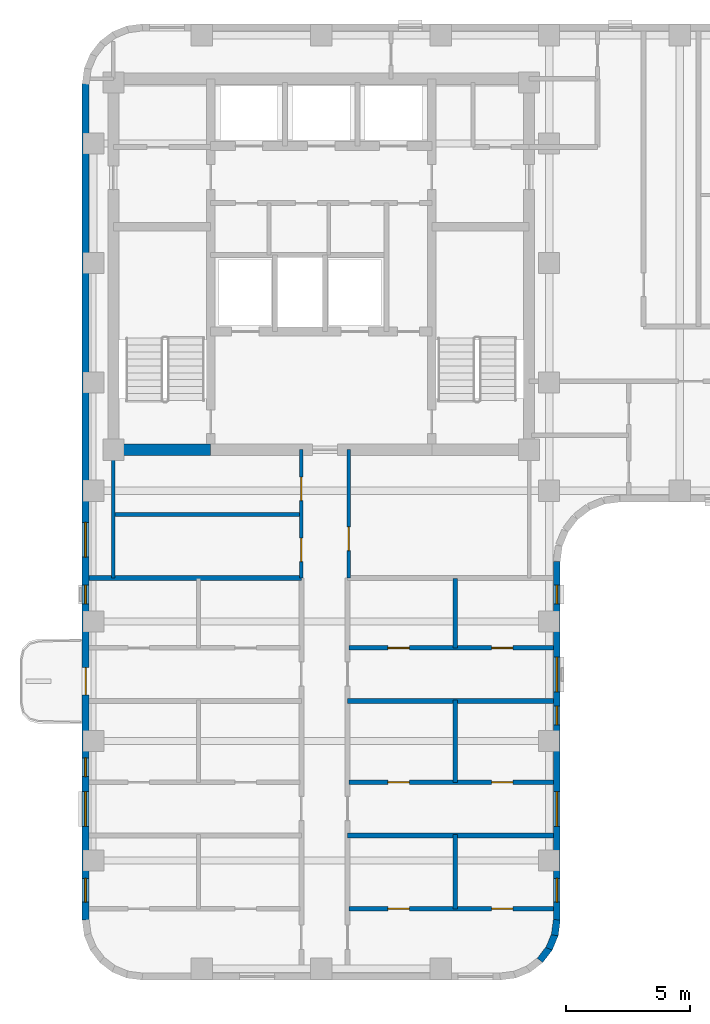
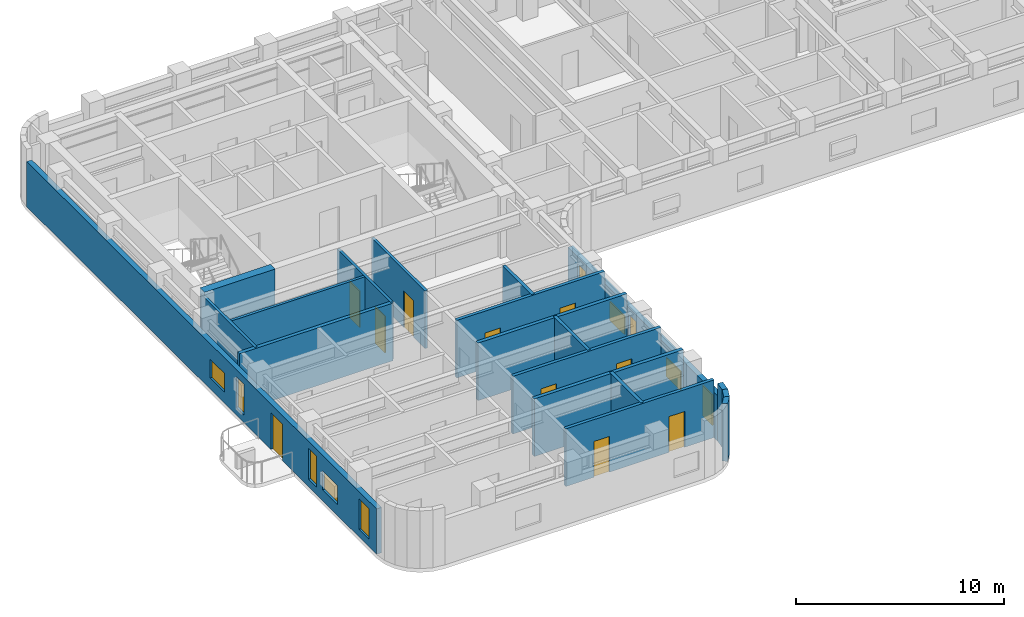
# One storey, part 3 of 10: 19 walls, 10 doors, 10 windows, 20 openings.
"""IFC4 building model written with IfcOpenShell, lengths in metres."""

from ifc_helpers import new_model, si_unit, direction, frame, frame_2d, origin, place, context, subcontext, project, spatial, rectangle, extrude, material, layer, layer_set, type_object, element, fill, save


model = new_model("IFC4")

# Units and contexts
model_context = context("Model", 3, precision=1e-05, world=origin(), true_north=direction((0.0, 1.0)))
body_context = subcontext(model_context, "Body", "Model", "MODEL_VIEW")
ifc_project = project(units=[si_unit("LENGTHUNIT", "METRE"), si_unit("AREAUNIT", "SQUARE_METRE"), si_unit("VOLUMEUNIT", "CUBIC_METRE"), si_unit("PLANEANGLEUNIT", "RADIAN"), si_unit("MASSUNIT", "GRAM", prefix="KILO")], contexts=[model_context])

# Site, building, storey
site_placement = place(None, origin())
site = spatial("IfcSite", under=ifc_project, at=site_placement, CompositionType="ELEMENT")
building_placement = place(site_placement, origin())
building = spatial("IfcBuilding", under=site, at=building_placement, Name="Orvandelia Arch Residences", CompositionType="ELEMENT")
storey_placement = place(building_placement, frame((0.0, 0.0, 211.0)))
storey = spatial("IfcBuildingStorey", under=building, at=storey_placement, Name="L55", CompositionType="ELEMENT", Elevation=211.0)

# Walls
ifc_material_1 = material(Name="Concrete C50/60", Category="concrete")
ifc_layer_1 = layer(ifc_material_1, 0.449951171875, Name="Concrete C50/60", Category="concrete")
ifc_layer_set_1 = layer_set([ifc_layer_1], Name="Concrete C50/60")
wall_type_1 = type_object("IfcWallType", Name="WL-CORE-450", PredefinedType="SHEAR", material=ifc_layer_set_1)
wall_1_placement = place(storey_placement, frame((6.050048828125, 30.89990234375, 0.0), z_axis=(0.0, 0.0, 1.0), x_axis=(1.0, 0.0, 0.0)))
element("IfcWall", 1, at=wall_1_placement, inside=storey, type_object=wall_type_1, Name="Core Shear Wall L55-SW", PredefinedType="SHEAR", context=body_context, shape_type="SweptSolid", body=[
    extrude(rectangle(XDim=3.909912109375, YDim=0.449951171875, at=frame_2d((1.955078125, 0.0))), origin(), (0.0, 0.0, 1.0), 3.60009765625),
])
ifc_material_2 = material(Name="Fire-Rated Corridor Partition")
ifc_layer_2 = layer(ifc_material_2, 0.199951171875, Name="Fire-Rated Corridor Partition")
ifc_layer_set_2 = layer_set([ifc_layer_2], Name="Fire-Rated Corridor Partition")
wall_type_2 = type_object("IfcWallType", Name="WL-CORR-200", PredefinedType="PARTITIONING", material=ifc_layer_set_2)
wall_2_placement = place(storey_placement, frame((5.080078125, 25.75, 0.0), z_axis=(0.0, 0.0, 1.0), x_axis=(1.0, 0.0, 0.0)))
element("IfcWall", 2, at=wall_2_placement, inside=storey, type_object=wall_type_2, Name="Interior Partition Wall WL-L55-WCLS-W", PredefinedType="PARTITIONING", context=body_context, shape_type="SweptSolid", body=[
    extrude(rectangle(XDim=8.52001953125, YDim=0.199951171875, at=frame_2d((4.260009765625, 0.0))), origin(), (0.0, 0.0, 1.0), 3.3798828125),
])
ifc_material_3 = material(Name="Concrete C40/50", Category="concrete")
ifc_layer_3 = layer(ifc_material_3, 0.199951171875, Name="Concrete C40/50", Category="concrete")
ifc_layer_set_3 = layer_set([ifc_layer_3], Name="Concrete C40/50")
wall_type_3 = type_object("IfcWallType", Name="WL-DEM-200", PredefinedType="SOLIDWALL", material=ifc_layer_set_3)
for number, where, z_axis, x_axis, name in (
    (3, (15.449951171875, 15.39990234375, 0.0), (0.0, 0.0, 1.0), (1.0, 0.0, 0.0), "Interior Partition Wall WL-L55-DEM-WR-154"),
    (4, (15.449951171875, 20.800048828125, 0.0), (0.0, 0.0, 1.0), (1.0, 0.0, 0.0), "Interior Partition Wall WL-L55-DEM-WR-208"),
):
    element("IfcWall", number, at=place(storey_placement, frame(where, z_axis=z_axis, x_axis=x_axis)), inside=storey, type_object=wall_type_3, Name=name, PredefinedType="SOLIDWALL", context=body_context, shape_type="SweptSolid", body=[
        extrude(rectangle(XDim=8.27001953125, YDim=0.199951171875, at=frame_2d((4.135009765625, 0.0))), origin(), (0.0, 0.0, 1.0), 3.3798828125),
    ])

# Wall, openings, windows
ifc_material_4 = material(Name="Precast concrete C40/50", Category="concrete")
ifc_layer_4 = layer(ifc_material_4, 0.280029296875, Name="Precast concrete C40/50", Category="concrete")
ifc_layer_set_4 = layer_set([ifc_layer_4], Name="Precast concrete C40/50")
wall_type_4 = type_object("IfcWallType", Name="WL-EXT-STONE-280", PredefinedType="STANDARD", material=ifc_layer_set_4)
wall_3_placement = place(storey_placement, frame((23.860107421875, 26.39990234375, 0.0), z_axis=(0.0, 0.0, 1.0), x_axis=(0.0, -1.0, 0.0)))
wall_3 = element("IfcWall", 5, at=wall_3_placement, inside=storey, type_object=wall_type_4, Name="Coral-Limestone Precast Facade Wall L55-028", PredefinedType="STANDARD", context=body_context, shape_type="SweptSolid", body=[
    extrude(rectangle(XDim=14.39990234375, YDim=0.280029296875, at=frame_2d((7.199951171875, 0.0))), origin(), (0.0, 0.0, 1.0), 2.659912109375),
])
opening_1_placement = place(wall_3_placement, frame((9.22998046875, 0.0, 0.64990234375)))
opening_1 = element("IfcOpeningElement", 6, at=opening_1_placement, cuts=wall_3, Name="Opening W10", PredefinedType="OPENING", context=body_context, shape_type="SweptSolid", body=[
    extrude(rectangle(XDim=1.39990234375, YDim=1.10009765625, at=frame_2d((0.699951171875, 0.550048828125))), frame((0.0, 0.14990234375, 0.0), z_axis=(0.0, -1.0, 0.0), x_axis=(1.0, 0.0, 0.0)), (0.0, 0.0, 1.0), 0.300048828125),
])
opening_2_placement = place(wall_3_placement, frame((3.830078125, 0.0, 0.64990234375)))
opening_2 = element("IfcOpeningElement", 7, at=opening_2_placement, cuts=wall_3, Name="Opening W10", PredefinedType="OPENING", context=body_context, shape_type="SweptSolid", body=[
    extrude(rectangle(XDim=1.39990234375, YDim=1.10009765625, at=frame_2d((0.699951171875, 0.550048828125))), frame((0.0, 0.14990234375, 0.0), z_axis=(0.0, -1.0, 0.0), x_axis=(1.0, 0.0, 0.0)), (0.0, 0.0, 1.0), 0.300048828125),
])
opening_3_placement = place(wall_3_placement, frame((12.718505859375, 0.0, 0.449951171875)))
opening_3 = element("IfcOpeningElement", 8, at=opening_3_placement, cuts=wall_3, Name="Opening W4", PredefinedType="OPENING", context=body_context, shape_type="SweptSolid", body=[
    extrude(rectangle(XDim=0.949951171875, YDim=1.800048828125, at=frame_2d((0.47509765625, 0.89990234375))), frame((0.0, 0.14990234375, 0.0), z_axis=(0.0, -1.0, 0.0), x_axis=(1.0, 0.0, 0.0)), (0.0, 0.0, 1.0), 0.300048828125),
])
opening_4_placement = place(wall_3_placement, frame((5.802490234375, 0.0, 0.449951171875)))
opening_4 = element("IfcOpeningElement", 9, at=opening_4_placement, cuts=wall_3, Name="Opening W11", PredefinedType="OPENING", context=body_context, shape_type="SweptSolid", body=[
    extrude(rectangle(XDim=0.75, YDim=1.800048828125, at=frame_2d((0.375, 0.89990234375))), frame((0.0, 0.14990234375, 0.0), z_axis=(0.0, -1.0, 0.0), x_axis=(1.0, 0.0, 0.0)), (0.0, 0.0, 1.0), 0.300048828125),
])
opening_5_placement = place(wall_3_placement, frame((0.9423828125, 0.0, 0.449951171875)))
opening_5 = element("IfcOpeningElement", 10, at=opening_5_placement, cuts=wall_3, Name="Opening W11", PredefinedType="OPENING", context=body_context, shape_type="SweptSolid", body=[
    extrude(rectangle(XDim=0.75, YDim=1.800048828125, at=frame_2d((0.375, 0.89990234375))), frame((0.0, 0.14990234375, 0.0), z_axis=(0.0, -1.0, 0.0), x_axis=(1.0, 0.0, 0.0)), (0.0, 0.0, 1.0), 0.300048828125),
])
ifc_material_5 = material(Name="Tempered Low-E Insulated Glazing", Category="glass")
window_type_1 = type_object("IfcWindowType", Name="WIN-BED-0750x1800", PartitioningType="SINGLE_PANEL", PredefinedType="WINDOW", material=ifc_material_5)
window_1_placement = place(opening_4_placement, origin())
window_1 = element("IfcWindow", 11, at=window_1_placement, inside=storey, type_object=window_type_1, Name="Recessed Punched Window L55-020", OverallHeight=1.800048828125, OverallWidth=0.75, PartitioningType="SINGLE_PANEL", PredefinedType="WINDOW", context=body_context, shape_type="SweptSolid", body=[
    extrude(rectangle(XDim=0.75, YDim=1.800048828125, at=frame_2d((0.375, 0.89990234375))), frame((0.0, 0.030029296875, 0.0), z_axis=(0.0, -1.0, 0.0), x_axis=(1.0, 0.0, 0.0)), (0.0, 0.0, 1.0), 0.06005859375),
])
fill(opening_4, window_1)
window_2_placement = place(opening_5_placement, origin())
window_2 = element("IfcWindow", 12, at=window_2_placement, inside=storey, type_object=window_type_1, Name="Recessed Punched Window L55-021", OverallHeight=1.800048828125, OverallWidth=0.75, PartitioningType="SINGLE_PANEL", PredefinedType="WINDOW", context=body_context, shape_type="SweptSolid", body=[
    extrude(rectangle(XDim=0.75, YDim=1.800048828125, at=frame_2d((0.375, 0.89990234375))), frame((0.0, 0.030029296875, 0.0), z_axis=(0.0, -1.0, 0.0), x_axis=(1.0, 0.0, 0.0)), (0.0, 0.0, 1.0), 0.06005859375),
])
fill(opening_5, window_2)
window_type_2 = type_object("IfcWindowType", Name="WIN-CLR-1400x1100", PartitioningType="SINGLE_PANEL", PredefinedType="WINDOW", material=ifc_material_5)
window_3_placement = place(opening_1_placement, origin())
window_3 = element("IfcWindow", 13, at=window_3_placement, inside=storey, type_object=window_type_2, Name="Recessed Punched Window L55-017", OverallHeight=1.10009765625, OverallWidth=1.39990234375, PartitioningType="SINGLE_PANEL", PredefinedType="WINDOW", context=body_context, shape_type="SweptSolid", body=[
    extrude(rectangle(XDim=1.39990234375, YDim=1.10009765625, at=frame_2d((0.699951171875, 0.550048828125))), frame((0.0, 0.030029296875, 0.0), z_axis=(0.0, -1.0, 0.0), x_axis=(1.0, 0.0, 0.0)), (0.0, 0.0, 1.0), 0.06005859375),
])
fill(opening_1, window_3)
window_4_placement = place(opening_2_placement, origin())
window_4 = element("IfcWindow", 14, at=window_4_placement, inside=storey, type_object=window_type_2, Name="Recessed Punched Window L55-018", OverallHeight=1.10009765625, OverallWidth=1.39990234375, PartitioningType="SINGLE_PANEL", PredefinedType="WINDOW", context=body_context, shape_type="SweptSolid", body=[
    extrude(rectangle(XDim=1.39990234375, YDim=1.10009765625, at=frame_2d((0.699951171875, 0.550048828125))), frame((0.0, 0.030029296875, 0.0), z_axis=(0.0, -1.0, 0.0), x_axis=(1.0, 0.0, 0.0)), (0.0, 0.0, 1.0), 0.06005859375),
])
fill(opening_2, window_4)
window_type_3 = type_object("IfcWindowType", Name="WIN-RES-0950x1800", PartitioningType="SINGLE_PANEL", PredefinedType="WINDOW", material=ifc_material_5)
window_5_placement = place(opening_3_placement, origin())
window_5 = element("IfcWindow", 15, at=window_5_placement, inside=storey, type_object=window_type_3, Name="Recessed Punched Window L55-019", OverallHeight=1.800048828125, OverallWidth=0.949951171875, PartitioningType="SINGLE_PANEL", PredefinedType="WINDOW", context=body_context, shape_type="SweptSolid", body=[
    extrude(rectangle(XDim=0.949951171875, YDim=1.800048828125, at=frame_2d((0.47509765625, 0.89990234375))), frame((0.0, 0.030029296875, 0.0), z_axis=(0.0, -1.0, 0.0), x_axis=(1.0, 0.0, 0.0)), (0.0, 0.0, 1.0), 0.06005859375),
])
fill(opening_3, window_5)

# Walls
for number, where, z_axis, x_axis, name in (
    (16, (23.861083984375, 12.018310546875, 0.0), (0.0, 0.0, 1.0), (-0.130555323746, -0.9914410257, 0.0), "Coral-Limestone Precast Facade Wall L55-029"),
    (17, (23.788818359375, 11.432373046875, 0.0), (0.0, 0.0, 1.0), (-0.382317370307, -0.924031075431, 0.0), "Coral-Limestone Precast Facade Wall L55-030"),
    (18, (23.5673828125, 10.88525390625, 0.0), (0.0, 0.0, 1.0), (-0.608693302629, -0.793405610854, 0.0), "Coral-Limestone Precast Facade Wall L55-031"),
):
    element("IfcWall", number, at=place(storey_placement, frame(where, z_axis=z_axis, x_axis=x_axis)), inside=storey, type_object=wall_type_4, Name=name, PredefinedType="STANDARD", context=body_context, shape_type="SweptSolid", body=[
        extrude(rectangle(XDim=0.62646484375, YDim=0.280029296875, at=frame_2d((0.313232421875, 0.0))), origin(), (0.0, 0.0, 1.0), 3.3798828125),
    ])

# Wall, openings, door, windows
wall_4_placement = place(storey_placement, frame((4.93994140625, 12.0, 0.0), z_axis=(0.0, 0.0, 1.0), x_axis=(0.0, 1.0, 0.0)))
wall_4 = element("IfcWall", 19, at=wall_4_placement, inside=storey, type_object=wall_type_4, Name="Coral-Limestone Precast Facade Wall L55-042", PredefinedType="STANDARD", context=body_context, shape_type="SweptSolid", body=[
    extrude(rectangle(XDim=33.60009765625, YDim=0.280029296875, at=frame_2d((16.800048828125, 0.0))), origin(), (0.0, 0.0, 1.0), 2.659912109375),
])
opening_6_placement = place(wall_4_placement, frame((9.050048828125, 0.0, 0.0)))
opening_6 = element("IfcOpeningElement", 20, at=opening_6_placement, cuts=wall_4, Name="Opening BD1", PredefinedType="OPENING", context=body_context, shape_type="SweptSolid", body=[
    extrude(rectangle(XDim=1.10009765625, YDim=2.14990234375, at=frame_2d((0.550048828125, 1.074951171875))), frame((0.0, 0.14990234375, 0.0), z_axis=(0.0, -1.0, 0.0), x_axis=(1.0, 0.0, 0.0)), (0.0, 0.0, 1.0), 0.300048828125),
])
opening_7_placement = place(wall_4_placement, frame((3.77001953125, 0.0, 0.64990234375)))
opening_7 = element("IfcOpeningElement", 21, at=opening_7_placement, cuts=wall_4, Name="Opening W10", PredefinedType="OPENING", context=body_context, shape_type="SweptSolid", body=[
    extrude(rectangle(XDim=1.39990234375, YDim=1.10009765625, at=frame_2d((0.699951171875, 0.550048828125))), frame((0.0, 0.14990234375, 0.0), z_axis=(0.0, -1.0, 0.0), x_axis=(1.0, 0.0, 0.0)), (0.0, 0.0, 1.0), 0.300048828125),
])
opening_8_placement = place(wall_4_placement, frame((0.7314453125, 0.0, 0.449951171875)))
opening_8 = element("IfcOpeningElement", 22, at=opening_8_placement, cuts=wall_4, Name="Opening W4", PredefinedType="OPENING", context=body_context, shape_type="SweptSolid", body=[
    extrude(rectangle(XDim=0.949951171875, YDim=1.800048828125, at=frame_2d((0.47509765625, 0.89990234375))), frame((0.0, 0.14990234375, 0.0), z_axis=(0.0, -1.0, 0.0), x_axis=(1.0, 0.0, 0.0)), (0.0, 0.0, 1.0), 0.300048828125),
])
opening_9_placement = place(wall_4_placement, frame((5.7724609375, 0.0, 0.449951171875)))
opening_9 = element("IfcOpeningElement", 23, at=opening_9_placement, cuts=wall_4, Name="Opening W11", PredefinedType="OPENING", context=body_context, shape_type="SweptSolid", body=[
    extrude(rectangle(XDim=0.75, YDim=1.800048828125, at=frame_2d((0.375, 0.89990234375))), frame((0.0, 0.14990234375, 0.0), z_axis=(0.0, -1.0, 0.0), x_axis=(1.0, 0.0, 0.0)), (0.0, 0.0, 1.0), 0.300048828125),
])
opening_10_placement = place(wall_4_placement, frame((12.70751953125, 0.0, 0.449951171875)))
opening_10 = element("IfcOpeningElement", 24, at=opening_10_placement, cuts=wall_4, Name="Opening W11", PredefinedType="OPENING", context=body_context, shape_type="SweptSolid", body=[
    extrude(rectangle(XDim=0.75, YDim=1.800048828125, at=frame_2d((0.375, 0.89990234375))), frame((0.0, 0.14990234375, 0.0), z_axis=(0.0, -1.0, 0.0), x_axis=(1.0, 0.0, 0.0)), (0.0, 0.0, 1.0), 0.300048828125),
])
opening_11_placement = place(wall_4_placement, frame((14.58251953125, 0.0, 0.64990234375)))
opening_11 = element("IfcOpeningElement", 25, at=opening_11_placement, cuts=wall_4, Name="Opening W10", PredefinedType="OPENING", context=body_context, shape_type="SweptSolid", body=[
    extrude(rectangle(XDim=1.39990234375, YDim=1.10009765625, at=frame_2d((0.699951171875, 0.550048828125))), frame((0.0, 0.14990234375, 0.0), z_axis=(0.0, -1.0, 0.0), x_axis=(1.0, 0.0, 0.0)), (0.0, 0.0, 1.0), 0.300048828125),
])
ifc_material_6 = material(Name="Thermally Broken Aluminium Glazed Door", Category="aluminium")
door_type_1 = type_object("IfcDoorType", Name="DR-BAL-GLAZ-1100", OperationType="NOTDEFINED", PredefinedType="DOOR", material=ifc_material_6)
door_1_placement = place(opening_6_placement, origin())
door_1 = element("IfcDoor", 26, at=door_1_placement, inside=storey, type_object=door_type_1, Name="Tree Balcony Glazed Door BAL-L55-W1", OperationType="SINGLE_SWING_RIGHT", OverallHeight=2.14990234375, OverallWidth=1.10009765625, PredefinedType="DOOR", context=body_context, shape_type="SweptSolid", body=[
    extrude(rectangle(XDim=1.10009765625, YDim=2.14990234375, at=frame_2d((0.550048828125, 1.074951171875))), frame((0.0, 0.02490234375, 0.0), z_axis=(0.0, -1.0, 0.0), x_axis=(1.0, 0.0, 0.0)), (0.0, 0.0, 1.0), 0.050048828125),
])
fill(opening_6, door_1)
window_6_placement = place(opening_9_placement, origin())
window_6 = element("IfcWindow", 27, at=window_6_placement, inside=storey, type_object=window_type_1, Name="Recessed Punched Window L55-026", OverallHeight=1.800048828125, OverallWidth=0.75, PartitioningType="SINGLE_PANEL", PredefinedType="WINDOW", context=body_context, shape_type="SweptSolid", body=[
    extrude(rectangle(XDim=0.75, YDim=1.800048828125, at=frame_2d((0.375, 0.89990234375))), frame((0.0, 0.030029296875, 0.0), z_axis=(0.0, -1.0, 0.0), x_axis=(1.0, 0.0, 0.0)), (0.0, 0.0, 1.0), 0.06005859375),
])
fill(opening_9, window_6)
window_7_placement = place(opening_10_placement, origin())
window_7 = element("IfcWindow", 28, at=window_7_placement, inside=storey, type_object=window_type_1, Name="Recessed Punched Window L55-027", OverallHeight=1.800048828125, OverallWidth=0.75, PartitioningType="SINGLE_PANEL", PredefinedType="WINDOW", context=body_context, shape_type="SweptSolid", body=[
    extrude(rectangle(XDim=0.75, YDim=1.800048828125, at=frame_2d((0.375, 0.89990234375))), frame((0.0, 0.030029296875, 0.0), z_axis=(0.0, -1.0, 0.0), x_axis=(1.0, 0.0, 0.0)), (0.0, 0.0, 1.0), 0.06005859375),
])
fill(opening_10, window_7)
window_8_placement = place(opening_7_placement, origin())
window_8 = element("IfcWindow", 29, at=window_8_placement, inside=storey, type_object=window_type_2, Name="Recessed Punched Window L55-024", OverallHeight=1.10009765625, OverallWidth=1.39990234375, PartitioningType="SINGLE_PANEL", PredefinedType="WINDOW", context=body_context, shape_type="SweptSolid", body=[
    extrude(rectangle(XDim=1.39990234375, YDim=1.10009765625, at=frame_2d((0.699951171875, 0.550048828125))), frame((0.0, 0.030029296875, 0.0), z_axis=(0.0, -1.0, 0.0), x_axis=(1.0, 0.0, 0.0)), (0.0, 0.0, 1.0), 0.06005859375),
])
fill(opening_7, window_8)
window_9_placement = place(opening_11_placement, origin())
window_9 = element("IfcWindow", 30, at=window_9_placement, inside=storey, type_object=window_type_2, Name="Recessed Punched Window L55-028", OverallHeight=1.10009765625, OverallWidth=1.39990234375, PartitioningType="SINGLE_PANEL", PredefinedType="WINDOW", context=body_context, shape_type="SweptSolid", body=[
    extrude(rectangle(XDim=1.39990234375, YDim=1.10009765625, at=frame_2d((0.699951171875, 0.550048828125))), frame((0.0, 0.030029296875, 0.0), z_axis=(0.0, -1.0, 0.0), x_axis=(1.0, 0.0, 0.0)), (0.0, 0.0, 1.0), 0.06005859375),
])
fill(opening_11, window_9)
window_10_placement = place(opening_8_placement, origin())
window_10 = element("IfcWindow", 31, at=window_10_placement, inside=storey, type_object=window_type_3, Name="Recessed Punched Window L55-025", OverallHeight=1.800048828125, OverallWidth=0.949951171875, PartitioningType="SINGLE_PANEL", PredefinedType="WINDOW", context=body_context, shape_type="SweptSolid", body=[
    extrude(rectangle(XDim=0.949951171875, YDim=1.800048828125, at=frame_2d((0.47509765625, 0.89990234375))), frame((0.0, 0.030029296875, 0.0), z_axis=(0.0, -1.0, 0.0), x_axis=(1.0, 0.0, 0.0)), (0.0, 0.0, 1.0), 0.06005859375),
])
fill(opening_8, window_10)

# Wall, openings, doors
ifc_material_7 = material(Name="Acoustic Gypsum Stud Partition")
ifc_layer_5 = layer(ifc_material_7, 0.14990234375, Name="Acoustic Gypsum Stud Partition")
ifc_layer_set_5 = layer_set([ifc_layer_5], Name="Acoustic Gypsum Stud Partition")
wall_type_5 = type_object("IfcWallType", Name="WL-PART-150", PredefinedType="PARTITIONING", material=ifc_layer_set_5)
wall_5_placement = place(storey_placement, frame((13.60009765625, 25.75, 0.0), z_axis=(0.0, 0.0, 1.0), x_axis=(0.0, 1.0, 0.0)))
wall_5 = element("IfcWall", 32, at=wall_5_placement, inside=storey, type_object=wall_type_5, Name="Interior Partition Wall WL-L55-HI-W1", PredefinedType="PARTITIONING", context=body_context, shape_type="SweptSolid", body=[
    extrude(rectangle(XDim=5.14990234375, YDim=0.14990234375, at=frame_2d((2.574951171875, 0.0))), origin(), (0.0, 0.0, 1.0), 3.3798828125),
])
opening_12_placement = place(wall_5_placement, frame((0.64990234375, 0.0, 0.0)))
opening_12 = element("IfcOpeningElement", 33, at=opening_12_placement, cuts=wall_5, Name="Opening D2", PredefinedType="OPENING", context=body_context, shape_type="SweptSolid", body=[
    extrude(rectangle(XDim=0.949951171875, YDim=2.14990234375, at=frame_2d((0.47509765625, 1.074951171875))), frame((0.0, 0.0849609375, 0.0), z_axis=(0.0, -1.0, 0.0), x_axis=(1.0, 0.0, 0.0)), (0.0, 0.0, 1.0), 0.169921875),
])
opening_13_placement = place(wall_5_placement, frame((3.10009765625, 0.0, 0.0)))
opening_13 = element("IfcOpeningElement", 34, at=opening_13_placement, cuts=wall_5, Name="Opening D2", PredefinedType="OPENING", context=body_context, shape_type="SweptSolid", body=[
    extrude(rectangle(XDim=0.949951171875, YDim=2.14990234375, at=frame_2d((0.47509765625, 1.074951171875))), frame((0.0, 0.0849609375, 0.0), z_axis=(0.0, -1.0, 0.0), x_axis=(1.0, 0.0, 0.0)), (0.0, 0.0, 1.0), 0.169921875),
])
ifc_material_8 = material(Name="Solid-Core Timber Interior Fire Door", Category="wood")
door_type_2 = type_object("IfcDoorType", Name="DR-APT-950", OperationType="NOTDEFINED", PredefinedType="DOOR", material=ifc_material_8)
door_2_placement = place(opening_12_placement, origin())
door_2 = element("IfcDoor", 35, at=door_2_placement, inside=storey, type_object=door_type_2, Name="DR-L55-HIR1S", OperationType="SINGLE_SWING_LEFT", OverallHeight=2.14990234375, OverallWidth=0.949951171875, PredefinedType="DOOR", context=body_context, shape_type="SweptSolid", body=[
    extrude(rectangle(XDim=0.949951171875, YDim=2.14990234375, at=frame_2d((0.47509765625, 1.074951171875))), frame((0.0, 0.02490234375, 0.0), z_axis=(0.0, -1.0, 0.0), x_axis=(1.0, 0.0, 0.0)), (0.0, 0.0, 1.0), 0.050048828125),
])
fill(opening_12, door_2)
door_3_placement = place(opening_13_placement, origin())
door_3 = element("IfcDoor", 36, at=door_3_placement, inside=storey, type_object=door_type_2, Name="DR-L55-HIR1N", OperationType="SINGLE_SWING_RIGHT", OverallHeight=2.14990234375, OverallWidth=0.949951171875, PredefinedType="DOOR", context=body_context, shape_type="SweptSolid", body=[
    extrude(rectangle(XDim=0.949951171875, YDim=2.14990234375, at=frame_2d((0.47509765625, 1.074951171875))), frame((0.0, 0.02490234375, 0.0), z_axis=(0.0, -1.0, 0.0), x_axis=(1.0, 0.0, 0.0)), (0.0, 0.0, 1.0), 0.050048828125),
])
fill(opening_13, door_3)

# Wall, opening, door
wall_6_placement = place(storey_placement, frame((15.5, 25.75, 0.0), z_axis=(0.0, 0.0, 1.0), x_axis=(0.0, 1.0, 0.0)))
wall_6 = element("IfcWall", 37, at=wall_6_placement, inside=storey, type_object=wall_type_5, Name="Interior Partition Wall WL-L55-HI-W2", PredefinedType="PARTITIONING", context=body_context, shape_type="SweptSolid", body=[
    extrude(rectangle(XDim=5.14990234375, YDim=0.14990234375, at=frame_2d((2.574951171875, 0.0))), origin(), (0.0, 0.0, 1.0), 3.3798828125),
])
opening_14_placement = place(wall_6_placement, frame((1.10009765625, 0.0, 0.0)))
opening_14 = element("IfcOpeningElement", 38, at=opening_14_placement, cuts=wall_6, Name="Opening D2", PredefinedType="OPENING", context=body_context, shape_type="SweptSolid", body=[
    extrude(rectangle(XDim=0.949951171875, YDim=2.14990234375, at=frame_2d((0.47509765625, 1.074951171875))), frame((0.0, 0.0849609375, 0.0), z_axis=(0.0, -1.0, 0.0), x_axis=(1.0, 0.0, 0.0)), (0.0, 0.0, 1.0), 0.169921875),
])
door_4_placement = place(opening_14_placement, origin())
door_4 = element("IfcDoor", 39, at=door_4_placement, inside=storey, type_object=door_type_2, Name="DR-L55-HIR2", OperationType="SINGLE_SWING_RIGHT", OverallHeight=2.14990234375, OverallWidth=0.949951171875, PredefinedType="DOOR", context=body_context, shape_type="SweptSolid", body=[
    extrude(rectangle(XDim=0.949951171875, YDim=2.14990234375, at=frame_2d((0.47509765625, 1.074951171875))), frame((0.0, 0.02490234375, 0.0), z_axis=(0.0, -1.0, 0.0), x_axis=(1.0, 0.0, 0.0)), (0.0, 0.0, 1.0), 0.050048828125),
])
fill(opening_14, door_4)

# Walls
wall_7_placement = place(storey_placement, frame((6.050048828125, 25.75, 0.0), z_axis=(0.0, 0.0, 1.0), x_axis=(0.0, 1.0, 0.0)))
element("IfcWall", 40, at=wall_7_placement, inside=storey, type_object=wall_type_5, Name="Interior Partition Wall WL-L55-HI-WW", PredefinedType="PARTITIONING", context=body_context, shape_type="SweptSolid", body=[
    extrude(rectangle(XDim=5.14990234375, YDim=0.14990234375, at=frame_2d((2.574951171875, 0.0))), origin(), (0.0, 0.0, 1.0), 3.3798828125),
])
wall_8_placement = place(storey_placement, frame((6.050048828125, 28.300048828125, 0.0), z_axis=(0.0, 0.0, 1.0), x_axis=(1.0, 0.0, 0.0)))
element("IfcWall", 41, at=wall_8_placement, inside=storey, type_object=wall_type_5, Name="Interior Partition Wall WL-L55-HIR-H1", PredefinedType="PARTITIONING", context=body_context, shape_type="SweptSolid", body=[
    extrude(rectangle(XDim=7.550048828125, YDim=0.14990234375, at=frame_2d((3.77490234375, 0.0))), origin(), (0.0, 0.0, 1.0), 3.3798828125),
])

# Wall, openings, doors
ifc_material_9 = material(Name="Moisture-Resistant Plumbing Wall")
ifc_layer_6 = layer(ifc_material_9, 0.179931640625, Name="Moisture-Resistant Plumbing Wall")
ifc_layer_set_6 = layer_set([ifc_layer_6], Name="Moisture-Resistant Plumbing Wall")
wall_type_6 = type_object("IfcWallType", Name="WL-WET-180", PredefinedType="PLUMBINGWALL", material=ifc_layer_set_6)
wall_9_placement = place(storey_placement, frame((15.510009765625, 12.4580078125, 0.0), z_axis=(0.0, 0.0, 1.0), x_axis=(1.0, 0.0, 0.0)))
wall_9 = element("IfcWall", 42, at=wall_9_placement, inside=storey, type_object=wall_type_6, Name="Interior Partition Wall WL-L55-U04-HZ", PredefinedType="PLUMBINGWALL", context=body_context, shape_type="SweptSolid", body=[
    extrude(rectangle(XDim=8.2099609375, YDim=0.179931640625, at=frame_2d((4.10498046875, 0.0))), origin(), (0.0, 0.0, 1.0), 3.3798828125),
])
opening_15_placement = place(wall_9_placement, frame((1.56494140625, 0.0, 0.0)))
opening_15 = element("IfcOpeningElement", 43, at=opening_15_placement, cuts=wall_9, Name="Opening D4", PredefinedType="OPENING", context=body_context, shape_type="SweptSolid", body=[
    extrude(rectangle(XDim=0.860107421875, YDim=2.10009765625, at=frame_2d((0.43017578125, 1.050048828125))), frame((0.0, 0.10009765625, 0.0), z_axis=(0.0, -1.0, 0.0), x_axis=(1.0, 0.0, 0.0)), (0.0, 0.0, 1.0), 0.199951171875),
])
opening_16_placement = place(wall_9_placement, frame((5.72998046875, 0.0, 0.0)))
opening_16 = element("IfcOpeningElement", 44, at=opening_16_placement, cuts=wall_9, Name="Opening D4", PredefinedType="OPENING", context=body_context, shape_type="SweptSolid", body=[
    extrude(rectangle(XDim=0.860107421875, YDim=2.10009765625, at=frame_2d((0.43017578125, 1.050048828125))), frame((0.0, 0.10009765625, 0.0), z_axis=(0.0, -1.0, 0.0), x_axis=(1.0, 0.0, 0.0)), (0.0, 0.0, 1.0), 0.199951171875),
])
ifc_material_10 = material(Name="Moisture-Sealed Timber Bathroom Door", Category="wood")
door_type_3 = type_object("IfcDoorType", Name="DR-WET-900", OperationType="NOTDEFINED", PredefinedType="DOOR", material=ifc_material_10)
door_5_placement = place(opening_15_placement, origin())
door_5 = element("IfcDoor", 45, at=door_5_placement, inside=storey, type_object=door_type_3, Name="DR-L55-U04-KIT", OperationType="SINGLE_SWING_RIGHT", OverallHeight=2.10009765625, OverallWidth=0.860107421875, PredefinedType="DOOR", context=body_context, shape_type="SweptSolid", body=[
    extrude(rectangle(XDim=0.860107421875, YDim=2.10009765625, at=frame_2d((0.43017578125, 1.050048828125))), frame((0.0, 0.02490234375, 0.0), z_axis=(0.0, -1.0, 0.0), x_axis=(1.0, 0.0, 0.0)), (0.0, 0.0, 1.0), 0.050048828125),
])
fill(opening_15, door_5)
door_6_placement = place(opening_16_placement, origin())
door_6 = element("IfcDoor", 46, at=door_6_placement, inside=storey, type_object=door_type_3, Name="DR-L55-U04-BTH", OperationType="SINGLE_SWING_LEFT", OverallHeight=2.10009765625, OverallWidth=0.860107421875, PredefinedType="DOOR", context=body_context, shape_type="SweptSolid", body=[
    extrude(rectangle(XDim=0.860107421875, YDim=2.10009765625, at=frame_2d((0.43017578125, 1.050048828125))), frame((0.0, 0.02490234375, 0.0), z_axis=(0.0, -1.0, 0.0), x_axis=(1.0, 0.0, 0.0)), (0.0, 0.0, 1.0), 0.050048828125),
])
fill(opening_16, door_6)

# Wall
wall_10_placement = place(storey_placement, frame((19.7900390625, 12.4580078125, 0.0), z_axis=(0.0, 0.0, 1.0), x_axis=(0.0, 1.0, 0.0)))
element("IfcWall", 47, at=wall_10_placement, inside=storey, type_object=wall_type_6, Name="Interior Partition Wall WL-L55-U04-V1", PredefinedType="PLUMBINGWALL", context=body_context, shape_type="SweptSolid", body=[
    extrude(rectangle(XDim=2.98193359375, YDim=0.179931640625, at=frame_2d((1.490966796875, 0.0))), origin(), (0.0, 0.0, 1.0), 3.3798828125),
])

# Wall, openings, doors
wall_11_placement = place(storey_placement, frame((15.510009765625, 17.5400390625, 0.0), z_axis=(0.0, 0.0, 1.0), x_axis=(1.0, 0.0, 0.0)))
wall_11 = element("IfcWall", 48, at=wall_11_placement, inside=storey, type_object=wall_type_6, Name="Interior Partition Wall WL-L55-U05-HZ", PredefinedType="PLUMBINGWALL", context=body_context, shape_type="SweptSolid", body=[
    extrude(rectangle(XDim=8.2099609375, YDim=0.179931640625, at=frame_2d((4.10498046875, 0.0))), origin(), (0.0, 0.0, 1.0), 3.3798828125),
])
opening_17_placement = place(wall_11_placement, frame((1.56494140625, 0.0, 0.0)))
opening_17 = element("IfcOpeningElement", 49, at=opening_17_placement, cuts=wall_11, Name="Opening D4", PredefinedType="OPENING", context=body_context, shape_type="SweptSolid", body=[
    extrude(rectangle(XDim=0.860107421875, YDim=2.10009765625, at=frame_2d((0.43017578125, 1.050048828125))), frame((0.0, 0.10009765625, 0.0), z_axis=(0.0, -1.0, 0.0), x_axis=(1.0, 0.0, 0.0)), (0.0, 0.0, 1.0), 0.199951171875),
])
opening_18_placement = place(wall_11_placement, frame((5.72998046875, 0.0, 0.0)))
opening_18 = element("IfcOpeningElement", 50, at=opening_18_placement, cuts=wall_11, Name="Opening D4", PredefinedType="OPENING", context=body_context, shape_type="SweptSolid", body=[
    extrude(rectangle(XDim=0.860107421875, YDim=2.10009765625, at=frame_2d((0.43017578125, 1.050048828125))), frame((0.0, 0.10009765625, 0.0), z_axis=(0.0, -1.0, 0.0), x_axis=(1.0, 0.0, 0.0)), (0.0, 0.0, 1.0), 0.199951171875),
])
door_7_placement = place(opening_17_placement, origin())
door_7 = element("IfcDoor", 51, at=door_7_placement, inside=storey, type_object=door_type_3, Name="DR-L55-U05-KIT", OperationType="SINGLE_SWING_LEFT", OverallHeight=2.10009765625, OverallWidth=0.860107421875, PredefinedType="DOOR", context=body_context, shape_type="SweptSolid", body=[
    extrude(rectangle(XDim=0.860107421875, YDim=2.10009765625, at=frame_2d((0.43017578125, 1.050048828125))), frame((0.0, 0.02490234375, 0.0), z_axis=(0.0, -1.0, 0.0), x_axis=(1.0, 0.0, 0.0)), (0.0, 0.0, 1.0), 0.050048828125),
])
fill(opening_17, door_7)
door_8_placement = place(opening_18_placement, origin())
door_8 = element("IfcDoor", 52, at=door_8_placement, inside=storey, type_object=door_type_3, Name="DR-L55-U05-BTH", OperationType="SINGLE_SWING_RIGHT", OverallHeight=2.10009765625, OverallWidth=0.860107421875, PredefinedType="DOOR", context=body_context, shape_type="SweptSolid", body=[
    extrude(rectangle(XDim=0.860107421875, YDim=2.10009765625, at=frame_2d((0.43017578125, 1.050048828125))), frame((0.0, 0.02490234375, 0.0), z_axis=(0.0, -1.0, 0.0), x_axis=(1.0, 0.0, 0.0)), (0.0, 0.0, 1.0), 0.050048828125),
])
fill(opening_18, door_8)

# Wall
wall_12_placement = place(storey_placement, frame((19.7900390625, 17.5400390625, 0.0), z_axis=(0.0, 0.0, 1.0), x_axis=(0.0, 1.0, 0.0)))
element("IfcWall", 53, at=wall_12_placement, inside=storey, type_object=wall_type_6, Name="Interior Partition Wall WL-L55-U05-V1", PredefinedType="PLUMBINGWALL", context=body_context, shape_type="SweptSolid", body=[
    extrude(rectangle(XDim=3.300048828125, YDim=0.179931640625, at=frame_2d((1.64990234375, 0.0))), origin(), (0.0, 0.0, 1.0), 3.3798828125),
])

# Wall, openings, doors
wall_13_placement = place(storey_placement, frame((15.510009765625, 22.93994140625, 0.0), z_axis=(0.0, 0.0, 1.0), x_axis=(1.0, 0.0, 0.0)))
wall_13 = element("IfcWall", 54, at=wall_13_placement, inside=storey, type_object=wall_type_6, Name="Interior Partition Wall WL-L55-U06-HZ", PredefinedType="PLUMBINGWALL", context=body_context, shape_type="SweptSolid", body=[
    extrude(rectangle(XDim=8.2099609375, YDim=0.179931640625, at=frame_2d((4.10498046875, 0.0))), origin(), (0.0, 0.0, 1.0), 3.3798828125),
])
opening_19_placement = place(wall_13_placement, frame((1.56494140625, 0.0, 0.0)))
opening_19 = element("IfcOpeningElement", 55, at=opening_19_placement, cuts=wall_13, Name="Opening D4", PredefinedType="OPENING", context=body_context, shape_type="SweptSolid", body=[
    extrude(rectangle(XDim=0.860107421875, YDim=2.10009765625, at=frame_2d((0.43017578125, 1.050048828125))), frame((0.0, 0.10009765625, 0.0), z_axis=(0.0, -1.0, 0.0), x_axis=(1.0, 0.0, 0.0)), (0.0, 0.0, 1.0), 0.199951171875),
])
opening_20_placement = place(wall_13_placement, frame((5.72998046875, 0.0, 0.0)))
opening_20 = element("IfcOpeningElement", 56, at=opening_20_placement, cuts=wall_13, Name="Opening D4", PredefinedType="OPENING", context=body_context, shape_type="SweptSolid", body=[
    extrude(rectangle(XDim=0.860107421875, YDim=2.10009765625, at=frame_2d((0.43017578125, 1.050048828125))), frame((0.0, 0.10009765625, 0.0), z_axis=(0.0, -1.0, 0.0), x_axis=(1.0, 0.0, 0.0)), (0.0, 0.0, 1.0), 0.199951171875),
])
door_9_placement = place(opening_19_placement, origin())
door_9 = element("IfcDoor", 57, at=door_9_placement, inside=storey, type_object=door_type_3, Name="DR-L55-U06-KIT", OperationType="SINGLE_SWING_RIGHT", OverallHeight=2.10009765625, OverallWidth=0.860107421875, PredefinedType="DOOR", context=body_context, shape_type="SweptSolid", body=[
    extrude(rectangle(XDim=0.860107421875, YDim=2.10009765625, at=frame_2d((0.43017578125, 1.050048828125))), frame((0.0, 0.02490234375, 0.0), z_axis=(0.0, -1.0, 0.0), x_axis=(1.0, 0.0, 0.0)), (0.0, 0.0, 1.0), 0.050048828125),
])
fill(opening_19, door_9)
door_10_placement = place(opening_20_placement, origin())
door_10 = element("IfcDoor", 58, at=door_10_placement, inside=storey, type_object=door_type_3, Name="DR-L55-U06-BTH", OperationType="SINGLE_SWING_LEFT", OverallHeight=2.10009765625, OverallWidth=0.860107421875, PredefinedType="DOOR", context=body_context, shape_type="SweptSolid", body=[
    extrude(rectangle(XDim=0.860107421875, YDim=2.10009765625, at=frame_2d((0.43017578125, 1.050048828125))), frame((0.0, 0.02490234375, 0.0), z_axis=(0.0, -1.0, 0.0), x_axis=(1.0, 0.0, 0.0)), (0.0, 0.0, 1.0), 0.050048828125),
])
fill(opening_20, door_10)

# Wall
wall_14_placement = place(storey_placement, frame((19.7900390625, 22.93994140625, 0.0), z_axis=(0.0, 0.0, 1.0), x_axis=(0.0, 1.0, 0.0)))
element("IfcWall", 59, at=wall_14_placement, inside=storey, type_object=wall_type_6, Name="Interior Partition Wall WL-L55-U06-V1", PredefinedType="PLUMBINGWALL", context=body_context, shape_type="SweptSolid", body=[
    extrude(rectangle(XDim=2.780029296875, YDim=0.179931640625, at=frame_2d((1.39013671875, 0.0))), origin(), (0.0, 0.0, 1.0), 3.3798828125),
])

save(model, "model.ifc")
